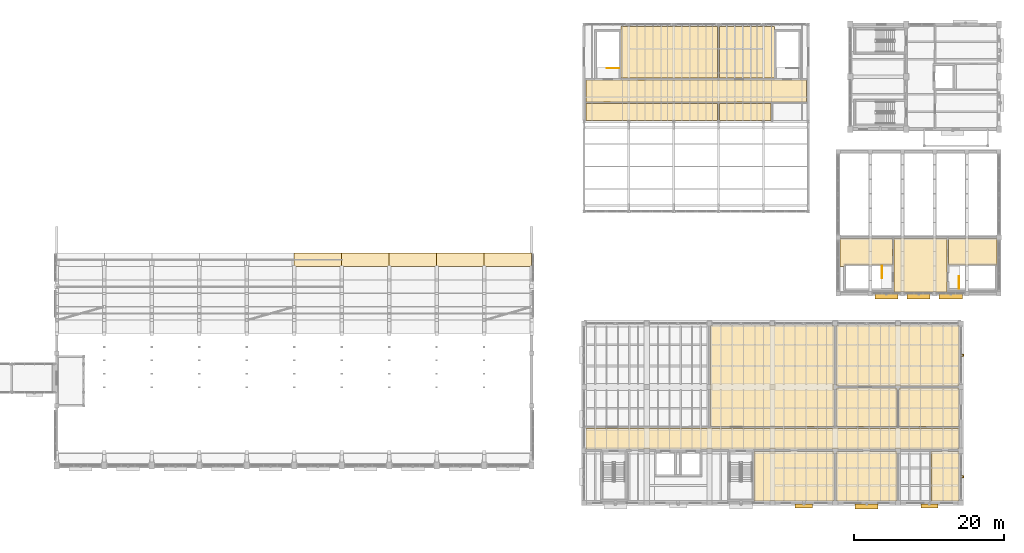
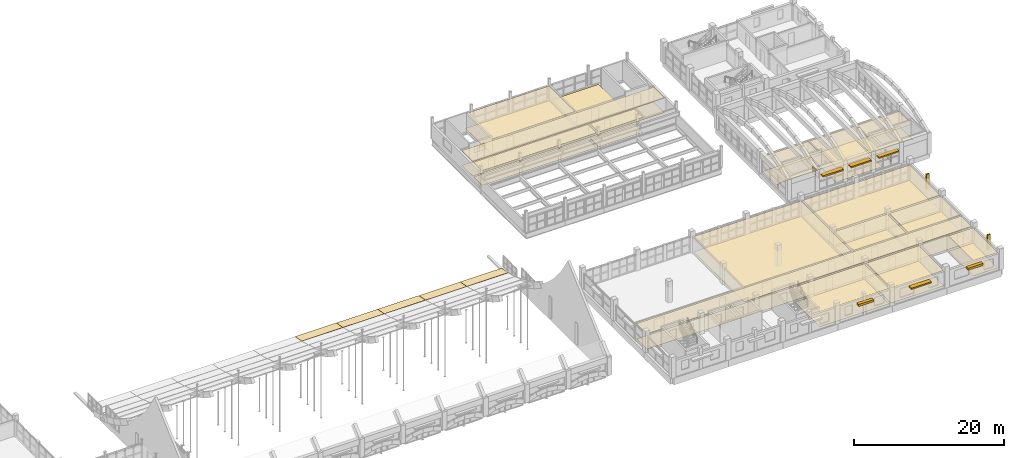
# One storey, part 76 of 77: 36 coverings, 8 shading devices, 3 railings.
"""IFC4 building model written with IfcOpenShell, lengths in metres."""

from ifc_helpers import new_model, si_unit, direction, frame, origin, origin_2d, place, context, subcontext, project, spatial, polyline, rectangle, circle, outline, extrude, material, layer, layer_set, type_object, element, save


model = new_model("IFC4")

# Units and contexts
model_context = context("Model", 3, precision=1e-05, world=origin(), true_north=direction((0.0, 1.0)))
body_context = subcontext(model_context, "Body", "Model", "MODEL_VIEW")
ifc_project = project(units=[si_unit("LENGTHUNIT", "METRE"), si_unit("AREAUNIT", "SQUARE_METRE"), si_unit("VOLUMEUNIT", "CUBIC_METRE"), si_unit("PLANEANGLEUNIT", "RADIAN"), si_unit("MASSUNIT", "GRAM", prefix="KILO")], contexts=[model_context])

# Site, building, storey
site_placement = place(None, origin())
site = spatial("IfcSite", under=ifc_project, at=site_placement, CompositionType="ELEMENT")
building_placement = place(site_placement, origin())
building = spatial("IfcBuilding", under=site, at=building_placement, Name="Trellovar Central Fire Station", CompositionType="ELEMENT")
storey_placement = place(building_placement, frame((0.0, 0.0, 5.85009765625)))
storey = spatial("IfcBuildingStorey", under=building, at=storey_placement, Name="L02", CompositionType="ELEMENT", Elevation=5.85009765625)

# Coverings
ifc_material_1 = material(Name="Perforated acoustic mineral fiber ceiling tile", Category="mineral")
ifc_layer_1 = layer(ifc_material_1, 0.02490234375)
ifc_layer_set_1 = layer_set([ifc_layer_1], Name="Perforated acoustic mineral fiber ceiling tile")
covering_type_1 = type_object("IfcCoveringType", Name="COV-CLG1", PredefinedType="CEILING", material=ifc_layer_set_1)
covering_1_placement = place(storey_placement, frame((0.0, 0.0, 2.47998046875)))
element("IfcCovering", 1, at=covering_1_placement, inside=storey, type_object=covering_type_1, Name="HQ Administration Corridor suspended ceiling", PredefinedType="CEILING", context=body_context, shape_type="SweptSolid", body=[
    extrude(outline(polyline([(155.64990234375, 19.050048828125), (155.64990234375, 16.25), (105.75, 16.25), (105.75, 19.050048828125), (155.64990234375, 19.050048828125)])), origin(), (0.0, 0.0, 1.0), 0.02490234375),
])
covering_2_placement = place(storey_placement, frame((0.0, 0.0, 2.47998046875)))
element("IfcCovering", 2, at=covering_2_placement, inside=storey, type_object=covering_type_1, Name="Fire Marshal Inspection Bureau suspended ceiling", PredefinedType="CEILING", context=body_context, shape_type="SweptSolid", body=[
    extrude(outline(polyline([(138.949951171875, 15.89990234375), (138.949951171875, 9.25), (128.25, 9.25), (128.25, 15.89990234375), (138.949951171875, 15.89990234375)])), origin(), (0.0, 0.0, 1.0), 0.02490234375),
])
covering_3_placement = place(storey_placement, frame((0.0, 0.0, 2.47998046875)))
element("IfcCovering", 3, at=covering_3_placement, inside=storey, type_object=covering_type_1, Name="Community Risk Reduction Classroom suspended ceiling", PredefinedType="CEILING", context=body_context, shape_type="SweptSolid", body=[
    extrude(outline(polyline([(147.35009765625, 15.89990234375), (147.35009765625, 9.25), (139.25, 9.25), (139.25, 15.89990234375), (147.35009765625, 15.89990234375)])), origin(), (0.0, 0.0, 1.0), 0.02490234375),
])
covering_4_placement = place(storey_placement, frame((0.0, 0.0, 2.47998046875)))
element("IfcCovering", 4, at=covering_4_placement, inside=storey, type_object=covering_type_1, Name="Logistics and Procurement Offices suspended ceiling", PredefinedType="CEILING", context=body_context, shape_type="SweptSolid", body=[
    extrude(outline(polyline([(138.949951171875, 32.75), (138.949951171875, 19.25), (122.449951171875, 19.25), (122.449951171875, 32.75), (138.949951171875, 32.75)])), origin(), (0.0, 0.0, 1.0), 0.02490234375),
])
covering_5_placement = place(storey_placement, frame((0.0, 0.0, 2.47998046875)))
element("IfcCovering", 5, at=covering_5_placement, inside=storey, type_object=covering_type_1, Name="Battalion Command Conference Suite suspended ceiling", PredefinedType="CEILING", context=body_context, shape_type="SweptSolid", body=[
    extrude(outline(polyline([(155.64990234375, 32.75), (155.64990234375, 24.64990234375), (139.25, 24.64990234375), (139.25, 32.75), (155.64990234375, 32.75)])), origin(), (0.0, 0.0, 1.0), 0.02490234375),
])
covering_6_placement = place(storey_placement, frame((0.0, 0.0, 2.47998046875)))
element("IfcCovering", 6, at=covering_6_placement, inside=storey, type_object=covering_type_1, Name="GIS Mapping and Analytics Studio suspended ceiling", PredefinedType="CEILING", context=body_context, shape_type="SweptSolid", body=[
    extrude(outline(polyline([(155.64990234375, 24.35009765625), (155.64990234375, 19.25), (147.64990234375, 19.25), (147.64990234375, 24.35009765625), (155.64990234375, 24.35009765625)])), origin(), (0.0, 0.0, 1.0), 0.02490234375),
])
covering_7_placement = place(storey_placement, frame((0.0, 0.0, 2.3798828125)))
element("IfcCovering", 7, at=covering_7_placement, inside=storey, type_object=covering_type_1, Name="Fleet Mezzanine Corridor suspended ceiling", PredefinedType="CEILING", context=body_context, shape_type="SweptSolid", body=[
    extrude(outline(polyline([(135.25, 65.550048828125), (135.25, 62.64990234375), (105.75, 62.64990234375), (105.75, 65.550048828125), (135.25, 65.550048828125)])), origin(), (0.0, 0.0, 1.0), 0.02490234375),
])
covering_8_placement = place(storey_placement, frame((0.0, 0.0, 2.3798828125)))
element("IfcCovering", 8, at=covering_8_placement, inside=storey, type_object=covering_type_1, Name="Apparatus Parts Mezzanine Store suspended ceiling", PredefinedType="CEILING", context=body_context, shape_type="SweptSolid", body=[
    extrude(outline(polyline([(123.35009765625, 62.449951171875), (123.35009765625, 60.14990234375), (105.75, 60.14990234375), (105.75, 62.449951171875), (123.35009765625, 62.449951171875)])), origin(), (0.0, 0.0, 1.0), 0.02490234375),
])
covering_9_placement = place(storey_placement, frame((0.0, 0.0, 2.3798828125)))
element("IfcCovering", 9, at=covering_9_placement, inside=storey, type_object=covering_type_1, Name="Radio Avionics Calibration Lab suspended ceiling", PredefinedType="CEILING", context=body_context, shape_type="SweptSolid", body=[
    extrude(outline(polyline([(123.35009765625, 72.75), (123.35009765625, 65.85009765625), (110.449951171875, 65.85009765625), (110.449951171875, 72.75), (123.35009765625, 72.75)])), origin(), (0.0, 0.0, 1.0), 0.02490234375),
])
covering_10_placement = place(storey_placement, frame((0.0, 0.0, 2.3798828125)))
element("IfcCovering", 10, at=covering_10_placement, inside=storey, type_object=covering_type_1, Name="Upper Auditorium Gallery Corridor suspended ceiling", PredefinedType="CEILING", context=body_context, shape_type="SweptSolid", body=[
    extrude(outline(polyline([(154.050048828125, 44.35009765625), (154.050048828125, 37.25), (146.949951171875, 37.25), (146.949951171875, 44.35009765625), (154.050048828125, 44.35009765625)])), origin(), (0.0, 0.0, 1.0), 0.02490234375),
])
covering_11_placement = place(storey_placement, frame((0.0, 0.0, 2.3798828125)))
element("IfcCovering", 11, at=covering_11_placement, inside=storey, type_object=covering_type_1, Name="Audiovisual Projection and Control Room suspended ceiling", PredefinedType="CEILING", context=body_context, shape_type="SweptSolid", body=[
    extrude(outline(polyline([(139.75, 40.64990234375), (139.75, 44.35009765625), (146.75, 44.35009765625), (146.75, 40.860107421875), (140.340087890625, 40.860107421875), (140.340087890625, 40.64990234375), (139.75, 40.64990234375)])), origin(), (0.0, 0.0, 1.0), 0.02490234375),
])
ifc_material_2 = material(Name="Moisture-resistant gypsum ceiling board", Category="gypsum")
ifc_layer_2 = layer(ifc_material_2, 0.030029296875)
ifc_layer_set_2 = layer_set([ifc_layer_2], Name="Moisture-resistant gypsum ceiling board")
covering_type_2 = type_object("IfcCoveringType", Name="COV-CLG2", PredefinedType="CEILING", material=ifc_layer_set_2)
covering_12_placement = place(storey_placement, frame((0.0, 0.0, 2.47998046875)))
element("IfcCovering", 12, at=covering_12_placement, inside=storey, type_object=covering_type_2, Name="HQ Level Two Accessible Restroom suspended ceiling", PredefinedType="CEILING", context=body_context, shape_type="SweptSolid", body=[
    extrude(outline(polyline([(155.64990234375, 15.89990234375), (155.64990234375, 9.25), (151.89990234375, 9.25), (151.89990234375, 15.89990234375), (155.64990234375, 15.89990234375)])), origin(), (0.0, 0.0, 1.0), 0.030029296875),
])
covering_13_placement = place(storey_placement, frame((0.0, 0.0, 2.47998046875)))
element("IfcCovering", 13, at=covering_13_placement, inside=storey, type_object=covering_type_2, Name="Records Archive and Staff Restrooms suspended ceiling", PredefinedType="CEILING", context=body_context, shape_type="SweptSolid", body=[
    extrude(outline(polyline([(147.35009765625, 24.35009765625), (147.35009765625, 19.25), (139.25, 19.25), (139.25, 24.35009765625), (147.35009765625, 24.35009765625)])), origin(), (0.0, 0.0, 1.0), 0.030029296875),
])
covering_14_placement = place(storey_placement, frame((0.0, 0.0, 2.3798828125)))
element("IfcCovering", 14, at=covering_14_placement, inside=storey, type_object=covering_type_2, Name="Mezzanine Staff Accessible WC suspended ceiling", PredefinedType="CEILING", context=body_context, shape_type="SweptSolid", body=[
    extrude(outline(polyline([(130.5, 62.449951171875), (130.5, 60.14990234375), (123.64990234375, 60.14990234375), (123.64990234375, 62.449951171875), (130.5, 62.449951171875)])), origin(), (0.0, 0.0, 1.0), 0.030029296875),
])
covering_15_placement = place(storey_placement, frame((0.0, 0.0, 2.3798828125)))
element("IfcCovering", 15, at=covering_15_placement, inside=storey, type_object=covering_type_2, Name="Simultaneous Interpretation and Gallery WC suspended ceiling", PredefinedType="CEILING", context=body_context, shape_type="SweptSolid", body=[
    extrude(outline(polyline([(154.25, 40.860107421875), (154.25, 44.35009765625), (160.75, 44.35009765625), (160.75, 40.64990234375), (160.659912109375, 40.64990234375), (160.659912109375, 40.860107421875), (154.25, 40.860107421875)])), origin(), (0.0, 0.0, 1.0), 0.030029296875),
])
ifc_material_3 = material(Name="Heavy-duty slip-resistant quartz epoxy flooring", Category="finish")
ifc_layer_3 = layer(ifc_material_3, 0.014892578125)
ifc_layer_set_3 = layer_set([ifc_layer_3], Name="Heavy-duty slip-resistant quartz epoxy flooring")
covering_type_3 = type_object("IfcCoveringType", Name="COV-FLR1", PredefinedType="FLOORING", material=ifc_layer_set_3)
covering_16_placement = place(storey_placement, origin())
element("IfcCovering", 16, at=covering_16_placement, inside=storey, type_object=covering_type_3, Name="AHU and Smoke Extraction Plant Room floor finish", PredefinedType="FLOORING", context=body_context, shape_type="SweptSolid", body=[
    extrude(outline(polyline([(130.949951171875, 72.75), (130.949951171875, 65.85009765625), (123.64990234375, 65.85009765625), (123.64990234375, 72.75), (130.949951171875, 72.75)])), origin(), (0.0, 0.0, 1.0), 0.014892578125),
])
ifc_material_4 = material(Name="Vitrified Catalan ceramic floor tile", Category="masonry")
ifc_layer_4 = layer(ifc_material_4, 0.01806640625)
ifc_layer_set_4 = layer_set([ifc_layer_4], Name="Vitrified Catalan ceramic floor tile")
covering_type_4 = type_object("IfcCoveringType", Name="COV-FLR2", PredefinedType="FLOORING", material=ifc_layer_set_4)
covering_17_placement = place(storey_placement, origin())
element("IfcCovering", 17, at=covering_17_placement, inside=storey, type_object=covering_type_4, Name="HQ Administration Corridor floor finish", PredefinedType="FLOORING", context=body_context, shape_type="SweptSolid", body=[
    extrude(outline(polyline([(155.64990234375, 19.050048828125), (155.64990234375, 16.25), (105.75, 16.25), (105.75, 19.050048828125), (155.64990234375, 19.050048828125)])), origin(), (0.0, 0.0, 1.0), 0.017822265625),
])
covering_18_placement = place(storey_placement, origin())
element("IfcCovering", 18, at=covering_18_placement, inside=storey, type_object=covering_type_4, Name="Fire Marshal Inspection Bureau floor finish", PredefinedType="FLOORING", context=body_context, shape_type="SweptSolid", body=[
    extrude(outline(polyline([(138.949951171875, 15.89990234375), (138.949951171875, 9.25), (128.25, 9.25), (128.25, 15.89990234375), (138.949951171875, 15.89990234375)])), origin(), (0.0, 0.0, 1.0), 0.017822265625),
])
covering_19_placement = place(storey_placement, origin())
element("IfcCovering", 19, at=covering_19_placement, inside=storey, type_object=covering_type_4, Name="HQ Level Two Accessible Restroom floor finish", PredefinedType="FLOORING", context=body_context, shape_type="SweptSolid", body=[
    extrude(outline(polyline([(155.64990234375, 15.89990234375), (155.64990234375, 9.25), (151.89990234375, 9.25), (151.89990234375, 15.89990234375), (155.64990234375, 15.89990234375)])), origin(), (0.0, 0.0, 1.0), 0.017822265625),
])
covering_20_placement = place(storey_placement, origin())
element("IfcCovering", 20, at=covering_20_placement, inside=storey, type_object=covering_type_4, Name="Logistics and Procurement Offices floor finish", PredefinedType="FLOORING", context=body_context, shape_type="SweptSolid", body=[
    extrude(outline(polyline([(138.949951171875, 32.75), (138.949951171875, 19.25), (122.449951171875, 19.25), (122.449951171875, 32.75), (138.949951171875, 32.75)])), origin(), (0.0, 0.0, 1.0), 0.017822265625),
])
covering_21_placement = place(storey_placement, origin())
element("IfcCovering", 21, at=covering_21_placement, inside=storey, type_object=covering_type_4, Name="Records Archive and Staff Restrooms floor finish", PredefinedType="FLOORING", context=body_context, shape_type="SweptSolid", body=[
    extrude(outline(polyline([(147.35009765625, 24.35009765625), (147.35009765625, 19.25), (139.25, 19.25), (139.25, 24.35009765625), (147.35009765625, 24.35009765625)])), origin(), (0.0, 0.0, 1.0), 0.017822265625),
])
covering_22_placement = place(storey_placement, origin())
element("IfcCovering", 22, at=covering_22_placement, inside=storey, type_object=covering_type_4, Name="Battalion Command Conference Suite floor finish", PredefinedType="FLOORING", context=body_context, shape_type="SweptSolid", body=[
    extrude(outline(polyline([(155.64990234375, 32.75), (155.64990234375, 24.64990234375), (139.25, 24.64990234375), (139.25, 32.75), (155.64990234375, 32.75)])), origin(), (0.0, 0.0, 1.0), 0.017822265625),
])
covering_23_placement = place(storey_placement, origin())
element("IfcCovering", 23, at=covering_23_placement, inside=storey, type_object=covering_type_4, Name="GIS Mapping and Analytics Studio floor finish", PredefinedType="FLOORING", context=body_context, shape_type="SweptSolid", body=[
    extrude(outline(polyline([(155.64990234375, 24.35009765625), (155.64990234375, 19.25), (147.64990234375, 19.25), (147.64990234375, 24.35009765625), (155.64990234375, 24.35009765625)])), origin(), (0.0, 0.0, 1.0), 0.017822265625),
])
covering_24_placement = place(storey_placement, origin())
element("IfcCovering", 24, at=covering_24_placement, inside=storey, type_object=covering_type_4, Name="Fleet Mezzanine Corridor floor finish", PredefinedType="FLOORING", context=body_context, shape_type="SweptSolid", body=[
    extrude(outline(polyline([(135.25, 65.550048828125), (135.25, 62.64990234375), (105.75, 62.64990234375), (105.75, 65.550048828125), (135.25, 65.550048828125)])), origin(), (0.0, 0.0, 1.0), 0.017822265625),
])
covering_25_placement = place(storey_placement, origin())
element("IfcCovering", 25, at=covering_25_placement, inside=storey, type_object=covering_type_4, Name="Apparatus Parts Mezzanine Store floor finish", PredefinedType="FLOORING", context=body_context, shape_type="SweptSolid", body=[
    extrude(outline(polyline([(123.35009765625, 62.449951171875), (123.35009765625, 60.14990234375), (105.75, 60.14990234375), (105.75, 62.449951171875), (123.35009765625, 62.449951171875)])), origin(), (0.0, 0.0, 1.0), 0.017822265625),
])
covering_26_placement = place(storey_placement, origin())
element("IfcCovering", 26, at=covering_26_placement, inside=storey, type_object=covering_type_4, Name="Mezzanine Staff Accessible WC floor finish", PredefinedType="FLOORING", context=body_context, shape_type="SweptSolid", body=[
    extrude(outline(polyline([(130.5, 62.449951171875), (130.5, 60.14990234375), (123.64990234375, 60.14990234375), (123.64990234375, 62.449951171875), (130.5, 62.449951171875)])), origin(), (0.0, 0.0, 1.0), 0.017822265625),
])
covering_27_placement = place(storey_placement, origin())
element("IfcCovering", 27, at=covering_27_placement, inside=storey, type_object=covering_type_4, Name="Radio Avionics Calibration Lab floor finish", PredefinedType="FLOORING", context=body_context, shape_type="SweptSolid", body=[
    extrude(outline(polyline([(123.35009765625, 72.75), (123.35009765625, 65.85009765625), (110.449951171875, 65.85009765625), (110.449951171875, 72.75), (123.35009765625, 72.75)])), origin(), (0.0, 0.0, 1.0), 0.017822265625),
])
covering_28_placement = place(storey_placement, origin())
element("IfcCovering", 28, at=covering_28_placement, inside=storey, type_object=covering_type_4, Name="Upper Auditorium Gallery Corridor floor finish", PredefinedType="FLOORING", context=body_context, shape_type="SweptSolid", body=[
    extrude(outline(polyline([(154.050048828125, 44.35009765625), (154.050048828125, 37.25), (146.949951171875, 37.25), (146.949951171875, 44.35009765625), (154.050048828125, 44.35009765625)])), origin(), (0.0, 0.0, 1.0), 0.017822265625),
])
covering_29_placement = place(storey_placement, origin())
element("IfcCovering", 29, at=covering_29_placement, inside=storey, type_object=covering_type_4, Name="Audiovisual Projection and Control Room floor finish", PredefinedType="FLOORING", context=body_context, shape_type="SweptSolid", body=[
    extrude(outline(polyline([(139.75, 40.64990234375), (139.75, 44.35009765625), (146.75, 44.35009765625), (146.75, 40.860107421875), (140.340087890625, 40.860107421875), (140.340087890625, 40.64990234375), (139.75, 40.64990234375)])), origin(), (0.0, 0.0, 1.0), 0.017822265625),
])
covering_30_placement = place(storey_placement, origin())
element("IfcCovering", 30, at=covering_30_placement, inside=storey, type_object=covering_type_4, Name="Simultaneous Interpretation and Gallery WC floor finish", PredefinedType="FLOORING", context=body_context, shape_type="SweptSolid", body=[
    extrude(outline(polyline([(154.25, 40.860107421875), (154.25, 44.35009765625), (160.75, 44.35009765625), (160.75, 40.64990234375), (160.659912109375, 40.64990234375), (160.659912109375, 40.860107421875), (154.25, 40.860107421875)])), origin(), (0.0, 0.0, 1.0), 0.017822265625),
])
ifc_material_5 = material(Name="Resilient athletic impact rubber flooring", Category="finish")
ifc_layer_5 = layer(ifc_material_5, 0.02001953125)
ifc_layer_set_5 = layer_set([ifc_layer_5], Name="Resilient athletic impact rubber flooring")
covering_type_5 = type_object("IfcCoveringType", Name="COV-FLR3", PredefinedType="FLOORING", material=ifc_layer_set_5)
covering_31_placement = place(storey_placement, origin())
element("IfcCovering", 31, at=covering_31_placement, inside=storey, type_object=covering_type_5, Name="Community Risk Reduction Classroom floor finish", PredefinedType="FLOORING", context=body_context, shape_type="SweptSolid", body=[
    extrude(outline(polyline([(147.35009765625, 15.89990234375), (147.35009765625, 9.25), (139.25, 9.25), (139.25, 15.89990234375), (147.35009765625, 15.89990234375)])), origin(), (0.0, 0.0, 1.0), 0.02001953125),
])
ifc_material_6 = material(Name="Glazed ceramic trencadis roofing", Category="masonry")
ifc_layer_6 = layer(ifc_material_6, 0.06005859375)
ifc_layer_set_6 = layer_set([ifc_layer_6], Name="Glazed ceramic trencadis roofing")
covering_type_6 = type_object("IfcCoveringType", Name="COV-RF1", PredefinedType="ROOFING", material=ifc_layer_set_6)
covering_32_placement = place(storey_placement, frame((66.75, 40.633056640625, 0.20556640625), z_axis=(0.0, 0.18314757425, 0.983085431713), x_axis=(1.0, 0.0, 0.0)))
element("IfcCovering", 32, at=covering_32_placement, inside=storey, type_object=covering_type_6, Name="Glazed trencadis vault covering V1-06-16", PredefinedType="ROOFING", context=body_context, shape_type="SweptSolid", body=[
    extrude(outline(polyline([(0.0, 0.0), (6.35009765625, 0.0), (6.35009765625, 1.8089173688610256), (0.0, 1.8089173688610256), (0.0, 0.0)])), origin(), (0.0, 0.0, -1.0), 0.06005859375),
])
covering_33_placement = place(storey_placement, frame((73.10009765625, 40.633056640625, 0.20556640625), z_axis=(0.0, 0.18314757425, 0.983085431713), x_axis=(1.0, 0.0, 0.0)))
element("IfcCovering", 33, at=covering_33_placement, inside=storey, type_object=covering_type_6, Name="Glazed trencadis vault covering V1-07-16", PredefinedType="ROOFING", context=body_context, shape_type="SweptSolid", body=[
    extrude(outline(polyline([(0.0, 0.0), (6.349853515625, 0.0), (6.349853515625, 1.8089173688610258), (0.0, 1.8089173688610258), (0.0, 0.0)])), origin(), (0.0, 0.0, -1.0), 0.06005859375),
])
covering_34_placement = place(storey_placement, frame((79.449951171875, 40.633056640625, 0.20556640625), z_axis=(0.0, 0.18314757425, 0.983085431713), x_axis=(1.0, 0.0, 0.0)))
element("IfcCovering", 34, at=covering_34_placement, inside=storey, type_object=covering_type_6, Name="Glazed trencadis vault covering V1-08-16", PredefinedType="ROOFING", context=body_context, shape_type="SweptSolid", body=[
    extrude(outline(polyline([(0.0, 0.0), (6.35009765625, 0.0), (6.35009765625, 1.8089173688610256), (0.0, 1.8089173688610256), (0.0, 0.0)])), origin(), (0.0, 0.0, -1.0), 0.06005859375),
])
covering_35_placement = place(storey_placement, frame((85.800048828125, 40.633056640625, 0.20556640625), z_axis=(0.0, 0.18314757425, 0.983085431713), x_axis=(1.0, 0.0, 0.0)))
element("IfcCovering", 35, at=covering_35_placement, inside=storey, type_object=covering_type_6, Name="Glazed trencadis vault covering V1-09-16", PredefinedType="ROOFING", context=body_context, shape_type="SweptSolid", body=[
    extrude(outline(polyline([(0.0, 0.0), (6.349853515625, 0.0), (6.349853515625, 1.8089173688610258), (0.0, 1.8089173688610258), (0.0, 0.0)])), origin(), (0.0, 0.0, -1.0), 0.06005859375),
])
covering_36_placement = place(storey_placement, frame((92.14990234375, 40.633056640625, 0.20556640625), z_axis=(0.0, 0.18314757425, 0.983085431713), x_axis=(1.0, 0.0, 0.0)))
element("IfcCovering", 36, at=covering_36_placement, inside=storey, type_object=covering_type_6, Name="Glazed trencadis vault covering V1-10-16", PredefinedType="ROOFING", context=body_context, shape_type="SweptSolid", body=[
    extrude(outline(polyline([(0.0, 0.0), (6.35009765625, 0.0), (6.35009765625, 1.8089173688610256), (0.0, 1.8089173688610256), (0.0, 0.0)])), origin(), (0.0, 0.0, -1.0), 0.06005859375),
])

# Railings
ifc_material_7 = material(Name="Patina bronze wrought metalwork", Category="metal")
ifc_layer_7 = layer(ifc_material_7, 0.050048828125)
ifc_layer_set_7 = layer_set([ifc_layer_7], Name="Patina bronze wrought metalwork")
railing_type = type_object("IfcRailingType", Name="RL-STGUARD", PredefinedType="GUARDRAIL", material=ifc_layer_set_7)
railing_1_placement = place(storey_placement, frame((110.199951171875, 67.14990234375, 0.0)))
element("IfcRailing", 37, at=railing_1_placement, inside=storey, type_object=railing_type, Name="L02 ST-07 top well guard 1", PredefinedType="GUARDRAIL", context=body_context, shape_type="SweptSolid", body=[
    extrude(circle(Radius=0.02392578125, at=origin_2d()), frame((0.0, 0.0, 1.076171875), z_axis=(-1.0, 0.0, 0.0), x_axis=(0.0, -1.0, 0.0)), (0.0, 0.0, 1.0), 1.599853515625),
    extrude(circle(Radius=0.015625, at=origin_2d()), frame((0.0, 0.0, 0.10009765625), z_axis=(-1.0, 0.0, 0.0), x_axis=(0.0, -1.0, 0.0)), (0.0, 0.0, 1.0), 1.599853515625),
    extrude(circle(Radius=0.015625, at=origin_2d()), frame((0.0, 0.0, 0.60498046875), z_axis=(-1.0, 0.0, 0.0), x_axis=(0.0, -1.0, 0.0)), (0.0, 0.0, 1.0), 1.599853515625),
    extrude(circle(Radius=0.02099609375, at=origin_2d()), origin(), (0.0, 0.0, 1.0), 1.052001953125),
    extrude(circle(Radius=0.02099609375, at=origin_2d()), frame((-0.7998046875, 0.0, 0.0)), (0.0, 0.0, 1.0), 1.052001953125),
    extrude(circle(Radius=0.02099609375, at=origin_2d()), frame((-1.599853515625, 0.0, 0.0)), (0.0, 0.0, 1.0), 1.052001953125),
])
railing_2_placement = place(storey_placement, frame((145.35009765625, 40.699951171875, 0.0)))
element("IfcRailing", 38, at=railing_2_placement, inside=storey, type_object=railing_type, Name="L02 ST-09 top well guard 1", PredefinedType="GUARDRAIL", context=body_context, shape_type="SweptSolid", body=[
    extrude(circle(Radius=0.02392578125, at=origin_2d()), frame((0.0, 0.0, 1.076171875), z_axis=(0.0, -1.0, 0.0), x_axis=(1.0, 0.0, 0.0)), (0.0, 0.0, 1.0), 1.599853515625),
    extrude(circle(Radius=0.015625, at=origin_2d()), frame((0.0, 0.0, 0.10009765625), z_axis=(0.0, -1.0, 0.0), x_axis=(1.0, 0.0, 0.0)), (0.0, 0.0, 1.0), 1.599853515625),
    extrude(circle(Radius=0.015625, at=origin_2d()), frame((0.0, 0.0, 0.60498046875), z_axis=(0.0, -1.0, 0.0), x_axis=(1.0, 0.0, 0.0)), (0.0, 0.0, 1.0), 1.599853515625),
    extrude(circle(Radius=0.02099609375, at=origin_2d()), origin(), (0.0, 0.0, 1.0), 1.052001953125),
    extrude(circle(Radius=0.02099609375, at=origin_2d()), frame((0.0, -0.7998046875, 0.0)), (0.0, 0.0, 1.0), 1.052001953125),
    extrude(circle(Radius=0.02099609375, at=origin_2d()), frame((0.0, -1.599853515625, 0.0)), (0.0, 0.0, 1.0), 1.052001953125),
])
railing_3_placement = place(storey_placement, frame((155.64990234375, 37.699951171875, 0.0)))
element("IfcRailing", 39, at=railing_3_placement, inside=storey, type_object=railing_type, Name="L02 ST-10 top well guard 1", PredefinedType="GUARDRAIL", context=body_context, shape_type="SweptSolid", body=[
    extrude(circle(Radius=0.02392578125, at=origin_2d()), frame((0.0, 0.0, 1.076171875), z_axis=(0.0, 1.0, 0.0), x_axis=(-1.0, 0.0, 0.0)), (0.0, 0.0, 1.0), 1.60009765625),
    extrude(circle(Radius=0.015625, at=origin_2d()), frame((0.0, 0.0, 0.10009765625), z_axis=(0.0, 1.0, 0.0), x_axis=(-1.0, 0.0, 0.0)), (0.0, 0.0, 1.0), 1.60009765625),
    extrude(circle(Radius=0.015625, at=origin_2d()), frame((0.0, 0.0, 0.60498046875), z_axis=(0.0, 1.0, 0.0), x_axis=(-1.0, 0.0, 0.0)), (0.0, 0.0, 1.0), 1.60009765625),
    extrude(circle(Radius=0.02099609375, at=origin_2d()), origin(), (0.0, 0.0, 1.0), 1.052001953125),
    extrude(circle(Radius=0.02099609375, at=origin_2d()), frame((0.0, 0.800048828125, 0.0)), (0.0, 0.0, 1.0), 1.052001953125),
    extrude(circle(Radius=0.02099609375, at=origin_2d()), frame((0.0, 1.60009765625, 0.0)), (0.0, 0.0, 1.0), 1.052001953125),
])

# Shading devices
ifc_material_8 = material(Name="Glazed ceramic trencadis and terracotta panel", Category="masonry")
shading_device_type_1 = type_object("IfcShadingDeviceType", Name="SHD-LV1", PredefinedType="JALOUSIE", material=ifc_material_8)
for number, where, z_axis, x_axis, name in (
    (40, (134.89990234375, 8.60498046875, 1.9296875), (0.0, 0.0, 1.0), (1.0, 0.0, 0.0), "L02 Catalan solar brise-soleil LV-1"),
    (41, (151.699951171875, 8.60498046875, 1.9296875), (0.0, 0.0, 1.0), (1.0, 0.0, 0.0), "L02 Catalan solar brise-soleil LV-1"),
):
    element("IfcShadingDevice", number, at=place(storey_placement, frame(where, z_axis=z_axis, x_axis=x_axis)), inside=storey, type_object=shading_device_type_1, Name=name, PredefinedType="JALOUSIE", context=body_context, shape_type="SweptSolid", body=[
        extrude(rectangle(XDim=2.300048828125, YDim=0.5, at=origin_2d()), origin(), (0.0, 0.0, 1.0), 0.340087890625),
    ])
ifc_material_9 = material(Name="Patina bronze wrought metalwork", Category="metal")
shading_device_type_2 = type_object("IfcShadingDeviceType", Name="SHD-LV2", PredefinedType="SHUTTER", material=ifc_material_9)
for number, where, z_axis, x_axis, name in (
    (42, (156.0849609375, 12.5, 0.949951171875), (0.0, 0.0, 1.0), (1.0, 0.0, 0.0), "L02 Catalan solar brise-soleil LV-2"),
    (43, (156.0849609375, 28.75, 0.949951171875), (0.0, 0.0, 1.0), (1.0, 0.0, 0.0), "L02 Catalan solar brise-soleil LV-2"),
):
    element("IfcShadingDevice", number, at=place(storey_placement, frame(where, z_axis=z_axis, x_axis=x_axis)), inside=storey, type_object=shading_device_type_2, Name=name, PredefinedType="SHUTTER", context=body_context, shape_type="SweptSolid", body=[
        extrude(rectangle(XDim=0.449951171875, YDim=0.239990234375, at=origin_2d()), origin(), (0.0, 0.0, 1.0), 2.39990234375),
    ])
ifc_material_10 = material(Name="Patina bronze wrought metalwork", Category="metal")
shading_device_type_3 = type_object("IfcShadingDeviceType", Name="SHD-LV4", PredefinedType="AWNING", material=ifc_material_10)
for number, where, z_axis, x_axis, name in (
    (44, (143.300048828125, 8.530029296875, 1.98974609375), (0.0, 0.0, 1.0), (1.0, 0.0, 0.0), "L02 Catalan solar brise-soleil LV-4"),
    (45, (145.949951171875, 36.610107421875, 2.2900390625), (0.0, 0.0, 1.0), (1.0, 0.0, 0.0), "L02 Catalan solar brise-soleil LV-4"),
    (46, (150.25, 36.610107421875, 2.2900390625), (0.0, 0.0, 1.0), (1.0, 0.0, 0.0), "L02 Catalan solar brise-soleil LV-4"),
    (47, (154.550048828125, 36.610107421875, 2.2900390625), (0.0, 0.0, 1.0), (1.0, 0.0, 0.0), "L02 Catalan solar brise-soleil LV-4"),
):
    element("IfcShadingDevice", number, at=place(storey_placement, frame(where, z_axis=z_axis, x_axis=x_axis)), inside=storey, type_object=shading_device_type_3, Name=name, PredefinedType="AWNING", context=body_context, shape_type="SweptSolid", body=[
        extrude(rectangle(XDim=3.10009765625, YDim=0.64990234375, at=origin_2d()), origin(), (0.0, 0.0, 1.0), 0.219970703125),
    ])

save(model, "model.ifc")
